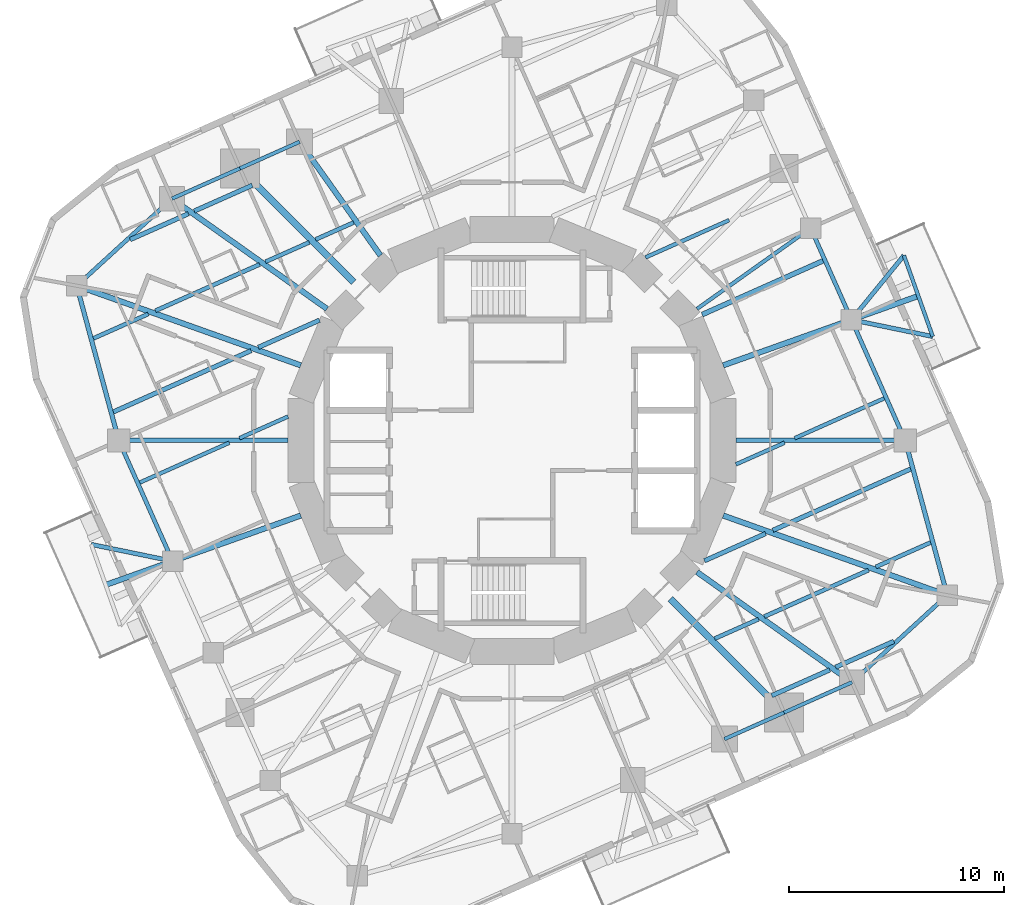
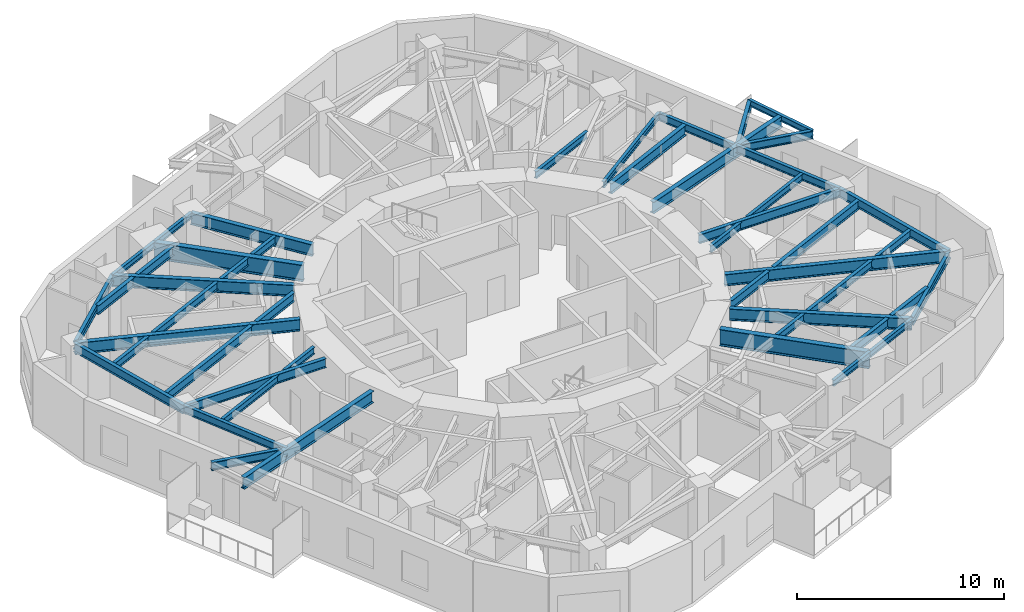
# One storey, part 2 of 12: 48 beams.
"""IFC4 building model written with IfcOpenShell, lengths in metres."""

from ifc_helpers import new_model, si_unit, direction, frame, origin, origin_2d, place, context, subcontext, project, spatial, i_section, extrude, material, material_profile, profile_set, type_object, element, save


model = new_model("IFC4")

# Units and contexts
model_context = context("Model", 3, precision=1e-05, world=origin(), true_north=direction((0.0, 1.0)))
body_context = subcontext(model_context, "Body", "Model", "MODEL_VIEW")
ifc_project = project(units=[si_unit("LENGTHUNIT", "METRE"), si_unit("AREAUNIT", "SQUARE_METRE"), si_unit("VOLUMEUNIT", "CUBIC_METRE"), si_unit("PLANEANGLEUNIT", "RADIAN"), si_unit("MASSUNIT", "GRAM", prefix="KILO")], contexts=[model_context])

# Site, building, storey
site_placement = place(None, origin())
site = spatial("IfcSite", under=ifc_project, at=site_placement, CompositionType="ELEMENT")
building_placement = place(site_placement, origin())
building = spatial("IfcBuilding", under=site, at=building_placement, Name="Nakasero Lantern House", CompositionType="ELEMENT")
storey_placement = place(building_placement, frame((0.0, 0.0, 209.39990234375)))
storey = spatial("IfcBuildingStorey", under=building, at=storey_placement, Name="L51", CompositionType="ELEMENT", Elevation=209.39990234375)

# Beams
ifc_material_1 = material(Name="Steel S355", Category="steel")
ifc_material_profile_1 = material_profile(ifc_material_1, i_section(OverallWidth=0.199462890625, OverallDepth=0.491943359375, WebThickness=0.01806640625, FlangeThickness=0.031982421875, FilletRadius=0.01025390625, at=origin_2d()), Name="UB 457x191x161")
ifc_profile_set_1 = profile_set([ifc_material_profile_1], Name="Steel S355")
beam_type_1 = type_object("IfcBeamType", Name="Balcony splay beam UB 457x191x161", PredefinedType="BEAM", material=ifc_profile_set_1)
beam_1_placement = place(storey_placement, frame((15.781982421875, 5.611328125, 3.404052734375), z_axis=(0.632165712937, 0.774833215206, 0.0), x_axis=(-0.774833215206, 0.632165712937, 0.0)))
element("IfcBeam", 1, at=beam_1_placement, inside=storey, type_object=beam_type_1, Name="Balcony splay beam L52 B5-C04A", PredefinedType="BEAM", context=body_context, shape_type="SweptSolid", body=[
    extrude(i_section(OverallWidth=0.199462890625, OverallDepth=0.491943359375, WebThickness=0.01806640625, FlangeThickness=0.031982421875, FilletRadius=0.01025390625, at=origin_2d()), origin(), (0.0, 0.0, 1.0), 3.85888671875),
])
for number, where, z_axis, x_axis, name in (
    (2, (15.781982421875, 5.611328125, 3.404052734375), (0.979420272605, -0.201831438605, 0.0), (0.201831438605, 0.979420272605, 0.0), "Balcony splay beam L52 B5-C04B"),
    (3, (-15.781982421875, -5.611328125, 3.404052734375), (-0.979420272605, 0.201831438605, 0.0), (-0.201831438605, -0.979420272605, 0.0), "Balcony splay beam L52 B5-C16B"),
):
    element("IfcBeam", number, at=place(storey_placement, frame(where, z_axis=z_axis, x_axis=x_axis)), inside=storey, type_object=beam_type_1, Name=name, PredefinedType="BEAM", context=body_context, shape_type="SweptSolid", body=[
        extrude(i_section(OverallWidth=0.199462890625, OverallDepth=0.491943359375, WebThickness=0.01806640625, FlangeThickness=0.031982421875, FilletRadius=0.01025390625, at=origin_2d()), origin(), (0.0, 0.0, 1.0), 3.858642578125),
    ])
ifc_material_2 = material(Name="Steel S355", Category="steel")
ifc_material_profile_2 = material_profile(ifc_material_2, i_section(OverallWidth=0.17138671875, OverallDepth=0.35498046875, WebThickness=0.00732421875, FlangeThickness=0.011474609375, FilletRadius=0.01025390625, at=origin_2d()), Name="UB 356x171x51")
ifc_profile_set_2 = profile_set([ifc_material_profile_2], Name="Steel S355")
beam_type_2 = type_object("IfcBeamType", Name="Balcony tie beam UB 356x171x51", PredefinedType="BEAM", material=ifc_profile_set_2)
beam_2_placement = place(storey_placement, frame((18.221435546875, 8.601318359375, 3.47265625), z_axis=(0.334971134582, -0.94222839004, 0.0), x_axis=(0.94222839004, 0.334971134582, 0.0)))
element("IfcBeam", 4, at=beam_2_placement, inside=storey, type_object=beam_type_2, Name="Balcony tie beam L52 B5-C04", PredefinedType="BEAM", context=body_context, shape_type="SweptSolid", body=[
    extrude(i_section(OverallWidth=0.17138671875, OverallDepth=0.35498046875, WebThickness=0.00732421875, FlangeThickness=0.011474609375, FilletRadius=0.01025390625, at=origin_2d()), origin(), (0.0, 0.0, 1.0), 4.0),
])
ifc_material_3 = material(Name="Steel S355", Category="steel")
ifc_material_profile_3 = material_profile(ifc_material_3, i_section(OverallWidth=0.177978515625, OverallDepth=0.406494140625, WebThickness=0.0078125, FlangeThickness=0.0126953125, FilletRadius=0.01025390625, at=origin_2d()), Name="UB 406x178x60")
ifc_profile_set_3 = profile_set([ifc_material_profile_3], Name="Steel S355")
beam_type_3 = type_object("IfcBeamType", Name="Infill beam UB 406x178x60", PredefinedType="JOIST", material=ifc_profile_set_3)
beam_3_placement = place(storey_placement, frame((10.407958984375, -1.113037109375, 3.44677734375), z_axis=(0.913531019811, 0.406769069427, 0.0), x_axis=(-0.406769069427, 0.913531019811, 0.0)))
element("IfcBeam", 5, at=beam_3_placement, inside=storey, type_object=beam_type_3, Name="Infill beam L52 06.3", PredefinedType="JOIST", context=body_context, shape_type="SweptSolid", body=[
    extrude(i_section(OverallWidth=0.177978515625, OverallDepth=0.406494140625, WebThickness=0.0078125, FlangeThickness=0.0126953125, FilletRadius=0.01025390625, at=origin_2d()), origin(), (0.0, 0.0, 1.0), 2.478271484375),
])
for number, where, z_axis, x_axis, name in (
    (6, (13.1435546875, 0.10498046875, 3.44677734375), (0.913537236337, 0.406755107929, 0.0), (-0.406755107929, 0.913537236337, 0.0), "Infill beam L52 06.4"),
    (7, (-17.30419921875, -1.95751953125, 3.44677734375), (0.913537236337, 0.406755107929, 0.0), (-0.406755107929, 0.913537236337, 0.0), "Infill beam L52 09.1"),
):
    element("IfcBeam", number, at=place(storey_placement, frame(where, z_axis=z_axis, x_axis=x_axis)), inside=storey, type_object=beam_type_3, Name=name, PredefinedType="JOIST", context=body_context, shape_type="SweptSolid", body=[
        extrude(i_section(OverallWidth=0.177978515625, OverallDepth=0.406494140625, WebThickness=0.0078125, FlangeThickness=0.0126953125, FilletRadius=0.01025390625, at=origin_2d()), origin(), (0.0, 0.0, 1.0), 4.554443359375),
    ])
beam_4_placement = place(storey_placement, frame((-12.671875, 0.10498046875, 3.44677734375), z_axis=(0.913531019811, 0.406769069427, 0.0), x_axis=(-0.406769069427, 0.913531019811, 0.0)))
element("IfcBeam", 8, at=beam_4_placement, inside=storey, type_object=beam_type_3, Name="Infill beam L52 09.2", PredefinedType="JOIST", context=body_context, shape_type="SweptSolid", body=[
    extrude(i_section(OverallWidth=0.177978515625, OverallDepth=0.406494140625, WebThickness=0.0078125, FlangeThickness=0.0126953125, FilletRadius=0.01025390625, at=origin_2d()), origin(), (0.0, 0.0, 1.0), 2.478271484375),
])
beam_5_placement = place(storey_placement, frame((6.2080078125, 8.5107421875, 3.44677734375), z_axis=(0.91354134882, 0.406745871517, 0.0), x_axis=(-0.406745871517, 0.91354134882, 0.0)))
element("IfcBeam", 9, at=beam_5_placement, inside=storey, type_object=beam_type_3, Name="Infill beam L52 09.3", PredefinedType="JOIST", context=body_context, shape_type="SweptSolid", body=[
    extrude(i_section(OverallWidth=0.177978515625, OverallDepth=0.406494140625, WebThickness=0.0078125, FlangeThickness=0.0126953125, FilletRadius=0.01025390625, at=origin_2d()), origin(), (0.0, 0.0, 1.0), 4.250732421875),
])
ifc_material_4 = material(Name="Steel S355", Category="steel")
ifc_material_profile_4 = material_profile(ifc_material_4, i_section(OverallWidth=0.18994140625, OverallDepth=0.453369140625, WebThickness=0.008544921875, FlangeThickness=0.0126953125, FilletRadius=0.01025390625, at=origin_2d()), Name="UB 457x191x67")
ifc_profile_set_4 = profile_set([ifc_material_profile_4], Name="Steel S355")
beam_type_4 = type_object("IfcBeamType", Name="Infill beam UB 457x191x67", PredefinedType="JOIST", material=ifc_profile_set_4)
beam_6_placement = place(storey_placement, frame((9.425048828125, -9.212890625, 3.42333984375), z_axis=(0.913549432882, 0.406727714424, 0.0), x_axis=(-0.406727714424, 0.913549432882, 0.0)))
element("IfcBeam", 10, at=beam_6_placement, inside=storey, type_object=beam_type_4, Name="Infill beam L52 04.6", PredefinedType="JOIST", context=body_context, shape_type="SweptSolid", body=[
    extrude(i_section(OverallWidth=0.18994140625, OverallDepth=0.453369140625, WebThickness=0.008544921875, FlangeThickness=0.0126953125, FilletRadius=0.01025390625, at=origin_2d()), origin(), (0.0, 0.0, 1.0), 2.229248046875),
])
beam_7_placement = place(storey_placement, frame((11.73095703125, -8.186279296875, 3.42333984375), z_axis=(0.913558956665, 0.406706322421, 0.0), x_axis=(-0.406706322421, 0.913558956665, 0.0)))
element("IfcBeam", 11, at=beam_7_placement, inside=storey, type_object=beam_type_4, Name="Infill beam L52 04.7", PredefinedType="JOIST", context=body_context, shape_type="SweptSolid", body=[
    extrude(i_section(OverallWidth=0.18994140625, OverallDepth=0.453369140625, WebThickness=0.008544921875, FlangeThickness=0.0126953125, FilletRadius=0.01025390625, at=origin_2d()), origin(), (0.0, 0.0, 1.0), 5.3046875),
])
for number, where, z_axis, x_axis, name in (
    (12, (16.913330078125, -5.87890625, 3.42333984375), (0.913540637242, 0.4067474697, 0.0), (-0.4067474697, 0.913540637242, 0.0), "Infill beam L52 04.8"),
    (13, (-19.46142578125, 4.744384765625, 3.42333984375), (0.913540637242, 0.4067474697, 0.0), (-0.4067474697, 0.913540637242, 0.0), "Infill beam L52 11.1"),
):
    element("IfcBeam", number, at=place(storey_placement, frame(where, z_axis=z_axis, x_axis=x_axis)), inside=storey, type_object=beam_type_4, Name=name, PredefinedType="JOIST", context=body_context, shape_type="SweptSolid", body=[
        extrude(i_section(OverallWidth=0.18994140625, OverallDepth=0.453369140625, WebThickness=0.008544921875, FlangeThickness=0.0126953125, FilletRadius=0.01025390625, at=origin_2d()), origin(), (0.0, 0.0, 1.0), 2.789306640625),
    ])
beam_8_placement = place(storey_placement, frame((-16.5771484375, 6.02880859375, 3.42333984375), z_axis=(0.913558956665, 0.406706322421, 0.0), x_axis=(-0.406706322421, 0.913558956665, 0.0)))
element("IfcBeam", 14, at=beam_8_placement, inside=storey, type_object=beam_type_4, Name="Infill beam L52 11.2", PredefinedType="JOIST", context=body_context, shape_type="SweptSolid", body=[
    extrude(i_section(OverallWidth=0.18994140625, OverallDepth=0.453369140625, WebThickness=0.008544921875, FlangeThickness=0.0126953125, FilletRadius=0.01025390625, at=origin_2d()), origin(), (0.0, 0.0, 1.0), 5.3046875),
])
beam_9_placement = place(storey_placement, frame((-11.461669921875, 8.30615234375, 3.42333984375), z_axis=(0.913549432882, 0.406727714424, 0.0), x_axis=(-0.406727714424, 0.913549432882, 0.0)))
element("IfcBeam", 15, at=beam_9_placement, inside=storey, type_object=beam_type_4, Name="Infill beam L52 11.3", PredefinedType="JOIST", context=body_context, shape_type="SweptSolid", body=[
    extrude(i_section(OverallWidth=0.18994140625, OverallDepth=0.453369140625, WebThickness=0.008544921875, FlangeThickness=0.0126953125, FilletRadius=0.01025390625, at=origin_2d()), origin(), (0.0, 0.0, 1.0), 2.229248046875),
])
beam_10_placement = place(storey_placement, frame((-9.131591796875, 9.34375, 3.42333984375), z_axis=(0.913587966127, 0.406641154026, 0.0), x_axis=(-0.406641154026, 0.913587966127, 0.0)))
element("IfcBeam", 16, at=beam_10_placement, inside=storey, type_object=beam_type_4, Name="Infill beam L52 11.4", PredefinedType="JOIST", context=body_context, shape_type="SweptSolid", body=[
    extrude(i_section(OverallWidth=0.18994140625, OverallDepth=0.453369140625, WebThickness=0.008544921875, FlangeThickness=0.0126953125, FilletRadius=0.01025390625, at=origin_2d()), origin(), (0.0, 0.0, 1.0), 1.9375),
])
ifc_material_5 = material(Name="Steel S355", Category="steel")
ifc_material_profile_5 = material_profile(ifc_material_5, i_section(OverallWidth=0.2099609375, OverallDepth=0.53662109375, WebThickness=0.0107421875, FlangeThickness=0.017333984375, FilletRadius=0.0126953125, at=origin_2d()), Name="UB 533x210x101")
ifc_profile_set_5 = profile_set([ifc_material_profile_5], Name="Steel S355")
beam_type_5 = type_object("IfcBeamType", Name="Infill beam UB 533x210x101", PredefinedType="JOIST", material=ifc_profile_set_5)
beam_11_placement = place(storey_placement, frame((12.076171875, -11.864013671875, 3.3818359375), z_axis=(0.913531880859, 0.40676713566, 0.0), x_axis=(-0.40676713566, 0.913531880859, 0.0)))
element("IfcBeam", 17, at=beam_11_placement, inside=storey, type_object=beam_type_5, Name="Infill beam L52 03.2", PredefinedType="JOIST", context=body_context, shape_type="SweptSolid", body=[
    extrude(i_section(OverallWidth=0.2099609375, OverallDepth=0.53662109375, WebThickness=0.0107421875, FlangeThickness=0.017333984375, FilletRadius=0.0126953125, at=origin_2d()), origin(), (0.0, 0.0, 1.0), 2.9541015625),
])
for number, where, z_axis, x_axis, name in (
    (18, (15.044189453125, -10.54248046875, 3.3818359375), (0.91353278913, 0.406765095827, 0.0), (-0.406765095827, 0.91353278913, 0.0), "Infill beam L52 03.3"),
    (19, (-17.751708984375, 9.3369140625, 3.3818359375), (0.91353278913, 0.406765095827, 0.0), (-0.406765095827, 0.91353278913, 0.0), "Infill beam L52 12.1"),
):
    element("IfcBeam", number, at=place(storey_placement, frame(where, z_axis=z_axis, x_axis=x_axis)), inside=storey, type_object=beam_type_5, Name=name, PredefinedType="JOIST", context=body_context, shape_type="SweptSolid", body=[
        extrude(i_section(OverallWidth=0.2099609375, OverallDepth=0.53662109375, WebThickness=0.0107421875, FlangeThickness=0.017333984375, FilletRadius=0.0126953125, at=origin_2d()), origin(), (0.0, 0.0, 1.0), 2.9638671875),
    ])
beam_12_placement = place(storey_placement, frame((-14.77490234375, 10.662353515625, 3.3818359375), z_axis=(0.913531880859, 0.40676713566, 0.0), x_axis=(-0.40676713566, 0.913531880859, 0.0)))
element("IfcBeam", 20, at=beam_12_placement, inside=storey, type_object=beam_type_5, Name="Infill beam L52 12.2", PredefinedType="JOIST", context=body_context, shape_type="SweptSolid", body=[
    extrude(i_section(OverallWidth=0.2099609375, OverallDepth=0.53662109375, WebThickness=0.0107421875, FlangeThickness=0.017333984375, FilletRadius=0.0126953125, at=origin_2d()), origin(), (0.0, 0.0, 1.0), 2.9541015625),
])
ifc_material_6 = material(Name="Steel S355", Category="steel")
ifc_material_profile_6 = material_profile(ifc_material_6, i_section(OverallWidth=0.208740234375, OverallDepth=0.5283203125, WebThickness=0.009521484375, FlangeThickness=0.01318359375, FilletRadius=0.0126953125, at=origin_2d()), Name="UB 533x210x82")
ifc_profile_set_6 = profile_set([ifc_material_profile_6], Name="Steel S355")
beam_type_6 = type_object("IfcBeamType", Name="Infill beam UB 533x210x82", PredefinedType="JOIST", material=ifc_profile_set_6)
beam_13_placement = place(storey_placement, frame((8.9482421875, -5.593994140625, 3.385986328125), z_axis=(0.913555928833, 0.406713123582, 0.0), x_axis=(-0.406713123582, 0.913555928833, 0.0)))
element("IfcBeam", 21, at=beam_13_placement, inside=storey, type_object=beam_type_6, Name="Infill beam L52 05.4", PredefinedType="JOIST", context=body_context, shape_type="SweptSolid", body=[
    extrude(i_section(OverallWidth=0.208740234375, OverallDepth=0.5283203125, WebThickness=0.009521484375, FlangeThickness=0.01318359375, FilletRadius=0.0126953125, at=origin_2d()), origin(), (0.0, 0.0, 1.0), 3.113525390625),
])
for number, where, z_axis, x_axis, name in (
    (22, (12.12890625, -4.177978515625, 3.385986328125), (0.913537025225, 0.406755582067, 0.0), (-0.406755582067, 0.913537025225, 0.0), "Infill beam L52 05.5"),
    (23, (-18.53271484375, 1.32666015625, 3.385986328125), (0.913537025225, 0.406755582067, 0.0), (-0.406755582067, 0.913537025225, 0.0), "Infill beam L52 10.1"),
):
    element("IfcBeam", number, at=place(storey_placement, frame(where, z_axis=z_axis, x_axis=x_axis)), inside=storey, type_object=beam_type_6, Name=name, PredefinedType="JOIST", context=body_context, shape_type="SweptSolid", body=[
        extrude(i_section(OverallWidth=0.208740234375, OverallDepth=0.5283203125, WebThickness=0.009521484375, FlangeThickness=0.01318359375, FilletRadius=0.0126953125, at=origin_2d()), origin(), (0.0, 0.0, 1.0), 7.010009765625),
    ])
beam_14_placement = place(storey_placement, frame((-11.792724609375, 4.32763671875, 3.385986328125), z_axis=(0.913555928833, 0.406713123582, 0.0), x_axis=(-0.406713123582, 0.913555928833, 0.0)))
element("IfcBeam", 24, at=beam_14_placement, inside=storey, type_object=beam_type_6, Name="Infill beam L52 10.2", PredefinedType="JOIST", context=body_context, shape_type="SweptSolid", body=[
    extrude(i_section(OverallWidth=0.208740234375, OverallDepth=0.5283203125, WebThickness=0.009521484375, FlangeThickness=0.01318359375, FilletRadius=0.0126953125, at=origin_2d()), origin(), (0.0, 0.0, 1.0), 3.113525390625),
])
ifc_material_7 = material(Name="Steel S355", Category="steel")
ifc_material_profile_7 = material_profile(ifc_material_7, i_section(OverallWidth=0.22900390625, OverallDepth=0.6123046875, WebThickness=0.011962890625, FlangeThickness=0.01953125, FilletRadius=0.0126953125, at=origin_2d()), Name="UB 610x229x125")
ifc_profile_set_7 = profile_set([ifc_material_profile_7], Name="Steel S355")
beam_type_7 = type_object("IfcBeamType", Name="Infill beam UB 610x229x125", PredefinedType="JOIST", material=ifc_profile_set_7)
beam_15_placement = place(storey_placement, frame((8.84130859375, 5.85205078125, 3.343994140625), z_axis=(0.913552627294, 0.406720539393, 0.0), x_axis=(-0.406720539393, 0.913552627294, 0.0)))
element("IfcBeam", 25, at=beam_15_placement, inside=storey, type_object=beam_type_7, Name="Infill beam L52 08.1", PredefinedType="JOIST", context=body_context, shape_type="SweptSolid", body=[
    extrude(i_section(OverallWidth=0.22900390625, OverallDepth=0.6123046875, WebThickness=0.011962890625, FlangeThickness=0.01953125, FilletRadius=0.0126953125, at=origin_2d()), origin(), (0.0, 0.0, 1.0), 6.14794921875),
])
ifc_material_8 = material(Name="Steel S355", Category="steel")
ifc_material_profile_8 = material_profile(ifc_material_8, i_section(OverallWidth=0.300048828125, OverallDepth=0.97998046875, WebThickness=0.0166015625, FlangeThickness=0.02587890625, FilletRadius=0.030029296875, at=origin_2d()), Name="UB 1016x305x249")
ifc_profile_set_8 = profile_set([ifc_material_profile_8], Name="Steel S355")
beam_type_8 = type_object("IfcBeamType", Name="Primary beam UB 1016x305x249, span 6 to 9 m", PredefinedType="BEAM", material=ifc_profile_set_8)
for number, where, z_axis, x_axis, name in (
    (26, (-12.64892578125, 12.64892578125, 3.16015625), (0.707106781187, -0.707106781187, 0.0), (0.707106781187, 0.707106781187, 0.0), "Primary beam L52 B5-C12"),
    (27, (12.64892578125, -12.64892578125, 3.16015625), (-0.707106781187, 0.707106781187, 0.0), (-0.707106781187, -0.707106781187, 0.0), "Primary beam L52 B5-C24"),
):
    element("IfcBeam", number, at=place(storey_placement, frame(where, z_axis=z_axis, x_axis=x_axis)), inside=storey, type_object=beam_type_8, Name=name, PredefinedType="BEAM", context=body_context, shape_type="SweptSolid", body=[
        extrude(i_section(OverallWidth=0.300048828125, OverallDepth=0.97998046875, WebThickness=0.0166015625, FlangeThickness=0.02587890625, FilletRadius=0.030029296875, at=origin_2d()), origin(), (0.0, 0.0, 1.0), 7.48046875),
    ])
ifc_material_9 = material(Name="Steel S355", Category="steel")
ifc_material_profile_9 = material_profile(ifc_material_9, i_section(OverallWidth=0.17138671875, OverallDepth=0.35498046875, WebThickness=0.00732421875, FlangeThickness=0.011474609375, FilletRadius=0.01025390625, at=origin_2d()), Name="UB 356x171x51")
ifc_profile_set_9 = profile_set([ifc_material_profile_9], Name="Steel S355")
beam_type_9 = type_object("IfcBeamType", Name="Primary beam UB 356x171x51, span 6 to 9 m", PredefinedType="BEAM", material=ifc_profile_set_9)
beam_16_placement = place(storey_placement, frame((13.884521484375, 9.87353515625, 3.47265625), z_axis=(-0.8149430702, -0.57954101868, 0.0), x_axis=(0.57954101868, -0.8149430702, 0.0)))
element("IfcBeam", 28, at=beam_16_placement, inside=storey, type_object=beam_type_9, Name="Primary beam L52 B5-C05", PredefinedType="BEAM", context=body_context, shape_type="SweptSolid", body=[
    extrude(i_section(OverallWidth=0.17138671875, OverallDepth=0.35498046875, WebThickness=0.00732421875, FlangeThickness=0.011474609375, FilletRadius=0.01025390625, at=origin_2d()), origin(), (0.0, 0.0, 1.0), 6.48193359375),
])
ifc_material_10 = material(Name="Steel S355", Category="steel")
ifc_material_profile_10 = material_profile(ifc_material_10, i_section(OverallWidth=0.2099609375, OverallDepth=0.53662109375, WebThickness=0.0107421875, FlangeThickness=0.017333984375, FilletRadius=0.0126953125, at=origin_2d()), Name="UB 533x210x101")
ifc_profile_set_10 = profile_set([ifc_material_profile_10], Name="Steel S355")
beam_type_10 = type_object("IfcBeamType", Name="Primary beam UB 533x210x101, span 6 to 9 m", PredefinedType="BEAM", material=ifc_profile_set_10)
for number, where, z_axis, x_axis, name in (
    (29, (18.280517578125, 0.0, 3.3818359375), (-1.0, 0.0, 0.0), (0.0, -1.0, 0.0), "Primary beam L52 B5-C03"),
    (30, (-18.280517578125, 0.0, 3.3818359375), (1.0, 0.0, 0.0), (0.0, 1.0, 0.0), "Primary beam L52 B5-C15"),
):
    element("IfcBeam", number, at=place(storey_placement, frame(where, z_axis=z_axis, x_axis=x_axis)), inside=storey, type_object=beam_type_10, Name=name, PredefinedType="BEAM", context=body_context, shape_type="SweptSolid", body=[
        extrude(i_section(OverallWidth=0.2099609375, OverallDepth=0.53662109375, WebThickness=0.0107421875, FlangeThickness=0.017333984375, FilletRadius=0.0126953125, at=origin_2d()), origin(), (0.0, 0.0, 1.0), 7.87255859375),
    ])
ifc_material_11 = material(Name="Steel S355", Category="steel")
ifc_material_profile_11 = material_profile(ifc_material_11, i_section(OverallWidth=0.253662109375, OverallDepth=0.68359375, WebThickness=0.012451171875, FlangeThickness=0.01904296875, FilletRadius=0.01513671875, at=origin_2d()), Name="UB 686x254x140")
ifc_profile_set_11 = profile_set([ifc_material_profile_11], Name="Steel S355")
beam_type_11 = type_object("IfcBeamType", Name="Primary beam UB 686x254x140, span 6 to 9 m", PredefinedType="BEAM", material=ifc_profile_set_11)
beam_17_placement = place(storey_placement, frame((15.808837890625, -11.241943359375, 3.308349609375), z_axis=(-0.814946052543, 0.579536824926, 0.0), x_axis=(-0.579536824926, -0.814946052543, 0.0)))
element("IfcBeam", 31, at=beam_17_placement, inside=storey, type_object=beam_type_11, Name="Primary beam L52 B5-C01", PredefinedType="BEAM", context=body_context, shape_type="SweptSolid", body=[
    extrude(i_section(OverallWidth=0.253662109375, OverallDepth=0.68359375, WebThickness=0.012451171875, FlangeThickness=0.01904296875, FilletRadius=0.01513671875, at=origin_2d()), origin(), (0.0, 0.0, 1.0), 8.84326171875),
])
beam_18_placement = place(storey_placement, frame((18.891357421875, 6.717041015625, 3.308349609375), z_axis=(-0.942207397814, -0.335030177005, 0.0), x_axis=(0.335030177005, -0.942207397814, 0.0)))
element("IfcBeam", 32, at=beam_18_placement, inside=storey, type_object=beam_type_11, Name="Primary beam L52 B5-C04", PredefinedType="BEAM", context=body_context, shape_type="SweptSolid", body=[
    extrude(i_section(OverallWidth=0.253662109375, OverallDepth=0.68359375, WebThickness=0.012451171875, FlangeThickness=0.01904296875, FilletRadius=0.01513671875, at=origin_2d()), origin(), (0.0, 0.0, 1.0), 9.62841796875),
])
beam_19_placement = place(storey_placement, frame((-15.808837890625, 11.241943359375, 3.308349609375), z_axis=(0.814946052543, -0.579536824926, 0.0), x_axis=(0.579536824926, 0.814946052543, 0.0)))
element("IfcBeam", 33, at=beam_19_placement, inside=storey, type_object=beam_type_11, Name="Primary beam L52 B5-C13", PredefinedType="BEAM", context=body_context, shape_type="SweptSolid", body=[
    extrude(i_section(OverallWidth=0.253662109375, OverallDepth=0.68359375, WebThickness=0.012451171875, FlangeThickness=0.01904296875, FilletRadius=0.01513671875, at=origin_2d()), origin(), (0.0, 0.0, 1.0), 8.84326171875),
])
beam_20_placement = place(storey_placement, frame((-18.891357421875, -6.717041015625, 3.308349609375), z_axis=(0.942207397814, 0.335030177005, 0.0), x_axis=(-0.335030177005, 0.942207397814, 0.0)))
element("IfcBeam", 34, at=beam_20_placement, inside=storey, type_object=beam_type_11, Name="Primary beam L52 B5-C16", PredefinedType="BEAM", context=body_context, shape_type="SweptSolid", body=[
    extrude(i_section(OverallWidth=0.253662109375, OverallDepth=0.68359375, WebThickness=0.012451171875, FlangeThickness=0.01904296875, FilletRadius=0.01513671875, at=origin_2d()), origin(), (0.0, 0.0, 1.0), 9.62841796875),
])
ifc_material_12 = material(Name="Steel S355", Category="steel")
ifc_material_profile_12 = material_profile(ifc_material_12, i_section(OverallWidth=0.253662109375, OverallDepth=0.68359375, WebThickness=0.012451171875, FlangeThickness=0.01904296875, FilletRadius=0.01513671875, at=origin_2d()), Name="UB 686x254x140")
ifc_profile_set_12 = profile_set([ifc_material_profile_12], Name="Steel S355")
beam_type_12 = type_object("IfcBeamType", Name="Primary beam UB 686x254x140, span 9 to 12 m", PredefinedType="BEAM", material=ifc_profile_set_12)
for number, where, z_axis, x_axis, name in (
    (35, (20.2353515625, -7.19482421875, 3.308349609375), (-0.942210662535, 0.335020995468, 0.0), (-0.335020995468, -0.942210662535, 0.0), "Primary beam L52 B5-C02"),
    (36, (-20.2353515625, 7.19482421875, 3.308349609375), (0.942210662535, -0.335020995468, 0.0), (0.335020995468, 0.942210662535, 0.0), "Primary beam L52 B5-C14"),
):
    element("IfcBeam", number, at=place(storey_placement, frame(where, z_axis=z_axis, x_axis=x_axis)), inside=storey, type_object=beam_type_12, Name=name, PredefinedType="BEAM", context=body_context, shape_type="SweptSolid", body=[
        extrude(i_section(OverallWidth=0.253662109375, OverallDepth=0.68359375, WebThickness=0.012451171875, FlangeThickness=0.01904296875, FilletRadius=0.01513671875, at=origin_2d()), origin(), (0.0, 0.0, 1.0), 11.054931640625),
    ])
ifc_material_13 = material(Name="Steel S355", Category="steel")
ifc_material_profile_13 = material_profile(ifc_material_13, i_section(OverallWidth=0.255859375, OverallDepth=0.69287109375, WebThickness=0.014404296875, FlangeThickness=0.023681640625, FilletRadius=0.01513671875, at=origin_2d()), Name="UB 686x254x170")
ifc_profile_set_13 = profile_set([ifc_material_profile_13], Name="Steel S355")
beam_type_13 = type_object("IfcBeamType", Name="Primary beam UB 686x254x170, span 6 to 9 m", PredefinedType="BEAM", material=ifc_profile_set_13)
beam_21_placement = place(storey_placement, frame((-9.87353515625, 13.884521484375, 3.3037109375), z_axis=(0.57954101868, -0.8149430702, 0.0), x_axis=(0.8149430702, 0.57954101868, 0.0)))
element("IfcBeam", 37, at=beam_21_placement, inside=storey, type_object=beam_type_13, Name="Primary beam L52 B5-C11", PredefinedType="BEAM", context=body_context, shape_type="SweptSolid", body=[
    extrude(i_section(OverallWidth=0.255859375, OverallDepth=0.69287109375, WebThickness=0.014404296875, FlangeThickness=0.023681640625, FilletRadius=0.01513671875, at=origin_2d()), origin(), (0.0, 0.0, 1.0), 6.48193359375),
])
ifc_material_14 = material(Name="Steel S355", Category="steel")
ifc_material_profile_14 = material_profile(ifc_material_14, i_section(OverallWidth=0.17138671875, OverallDepth=0.35498046875, WebThickness=0.00732421875, FlangeThickness=0.011474609375, FilletRadius=0.01025390625, at=origin_2d()), Name="UB 356x171x51")
ifc_profile_set_14 = profile_set([ifc_material_profile_14], Name="Steel S355")
beam_type_14 = type_object("IfcBeamType", Name="Ring beam UB 356x171x51", PredefinedType="BEAM", material=ifc_profile_set_14)
beam_22_placement = place(storey_placement, frame((-9.87353515625, 13.884521484375, 3.47265625), z_axis=(-0.913556197925, -0.40671251915, 0.0), x_axis=(0.40671251915, -0.913556197925, 0.0)))
element("IfcBeam", 38, at=beam_22_placement, inside=storey, type_object=beam_type_14, Name="Ring beam L52 B5-C11", PredefinedType="BEAM", context=body_context, shape_type="SweptSolid", body=[
    extrude(i_section(OverallWidth=0.17138671875, OverallDepth=0.35498046875, WebThickness=0.00732421875, FlangeThickness=0.011474609375, FilletRadius=0.01025390625, at=origin_2d()), origin(), (0.0, 0.0, 1.0), 3.0380859375),
])
beam_23_placement = place(storey_placement, frame((-12.64892578125, 12.64892578125, 3.47265625), z_axis=(-0.913534832457, -0.406760506795, 0.0), x_axis=(0.406760506795, -0.913534832457, 0.0)))
element("IfcBeam", 39, at=beam_23_placement, inside=storey, type_object=beam_type_14, Name="Ring beam L52 B5-C12", PredefinedType="BEAM", context=body_context, shape_type="SweptSolid", body=[
    extrude(i_section(OverallWidth=0.17138671875, OverallDepth=0.35498046875, WebThickness=0.00732421875, FlangeThickness=0.011474609375, FilletRadius=0.01025390625, at=origin_2d()), origin(), (0.0, 0.0, 1.0), 3.458984375),
])
beam_24_placement = place(storey_placement, frame((9.87353515625, -13.884521484375, 3.47265625), z_axis=(0.913556197925, 0.40671251915, 0.0), x_axis=(-0.40671251915, 0.913556197925, 0.0)))
element("IfcBeam", 40, at=beam_24_placement, inside=storey, type_object=beam_type_14, Name="Ring beam L52 B5-C23", PredefinedType="BEAM", context=body_context, shape_type="SweptSolid", body=[
    extrude(i_section(OverallWidth=0.17138671875, OverallDepth=0.35498046875, WebThickness=0.00732421875, FlangeThickness=0.011474609375, FilletRadius=0.01025390625, at=origin_2d()), origin(), (0.0, 0.0, 1.0), 3.0380859375),
])
beam_25_placement = place(storey_placement, frame((12.64892578125, -12.64892578125, 3.47265625), z_axis=(0.913534832457, 0.406760506795, 0.0), x_axis=(-0.406760506795, 0.913534832457, 0.0)))
element("IfcBeam", 41, at=beam_25_placement, inside=storey, type_object=beam_type_14, Name="Ring beam L52 B5-C24", PredefinedType="BEAM", context=body_context, shape_type="SweptSolid", body=[
    extrude(i_section(OverallWidth=0.17138671875, OverallDepth=0.35498046875, WebThickness=0.00732421875, FlangeThickness=0.011474609375, FilletRadius=0.01025390625, at=origin_2d()), origin(), (0.0, 0.0, 1.0), 3.458984375),
])
ifc_material_15 = material(Name="Steel S355", Category="steel")
ifc_material_profile_15 = material_profile(ifc_material_15, i_section(OverallWidth=0.18994140625, OverallDepth=0.453369140625, WebThickness=0.008544921875, FlangeThickness=0.0126953125, FilletRadius=0.01025390625, at=origin_2d()), Name="UB 457x191x67")
ifc_profile_set_15 = profile_set([ifc_material_profile_15], Name="Steel S355")
beam_type_15 = type_object("IfcBeamType", Name="Ring beam UB 457x191x67", PredefinedType="BEAM", material=ifc_profile_set_15)
beam_26_placement = place(storey_placement, frame((15.808837890625, -11.241943359375, 3.42333984375), z_axis=(0.73802707447, 0.674771099966, 0.0), x_axis=(-0.674771099966, 0.73802707447, 0.0)))
element("IfcBeam", 42, at=beam_26_placement, inside=storey, type_object=beam_type_15, Name="Ring beam L52 B5-C01", PredefinedType="BEAM", context=body_context, shape_type="SweptSolid", body=[
    extrude(i_section(OverallWidth=0.18994140625, OverallDepth=0.453369140625, WebThickness=0.008544921875, FlangeThickness=0.0126953125, FilletRadius=0.01025390625, at=origin_2d()), origin(), (0.0, 0.0, 1.0), 5.997802734375),
])
beam_27_placement = place(storey_placement, frame((15.781982421875, 5.611328125, 3.42333984375), z_axis=(-0.406701600856, 0.913561058639, 0.0), x_axis=(-0.913561058639, -0.406701600856, 0.0)))
element("IfcBeam", 43, at=beam_27_placement, inside=storey, type_object=beam_type_15, Name="Ring beam L52 B5-C04", PredefinedType="BEAM", context=body_context, shape_type="SweptSolid", body=[
    extrude(i_section(OverallWidth=0.18994140625, OverallDepth=0.453369140625, WebThickness=0.008544921875, FlangeThickness=0.0126953125, FilletRadius=0.01025390625, at=origin_2d()), origin(), (0.0, 0.0, 1.0), 4.66552734375),
])
beam_28_placement = place(storey_placement, frame((-15.808837890625, 11.241943359375, 3.42333984375), z_axis=(-0.73802707447, -0.674771099966, 0.0), x_axis=(0.674771099966, -0.73802707447, 0.0)))
element("IfcBeam", 44, at=beam_28_placement, inside=storey, type_object=beam_type_15, Name="Ring beam L52 B5-C13", PredefinedType="BEAM", context=body_context, shape_type="SweptSolid", body=[
    extrude(i_section(OverallWidth=0.18994140625, OverallDepth=0.453369140625, WebThickness=0.008544921875, FlangeThickness=0.0126953125, FilletRadius=0.01025390625, at=origin_2d()), origin(), (0.0, 0.0, 1.0), 5.997802734375),
])
ifc_material_16 = material(Name="Steel S355", Category="steel")
ifc_material_profile_16 = material_profile(ifc_material_16, i_section(OverallWidth=0.19140625, OverallDepth=0.4599609375, WebThickness=0.010009765625, FlangeThickness=0.01611328125, FilletRadius=0.01025390625, at=origin_2d()), Name="UB 457x191x82")
ifc_profile_set_16 = profile_set([ifc_material_profile_16], Name="Steel S355")
beam_type_16 = type_object("IfcBeamType", Name="Ring beam UB 457x191x82", PredefinedType="BEAM", material=ifc_profile_set_16)
for number, where, z_axis, x_axis, name in (
    (45, (18.280517578125, 0.0, 3.420166015625), (-0.406765299215, 0.913532698569, 0.0), (-0.913532698569, -0.406765299215, 0.0), "Ring beam L52 B5-C03"),
    (46, (-18.280517578125, 0.0, 3.420166015625), (0.406765299215, -0.913532698569, 0.0), (0.913532698569, 0.406765299215, 0.0), "Ring beam L52 B5-C15"),
):
    element("IfcBeam", number, at=place(storey_placement, frame(where, z_axis=z_axis, x_axis=x_axis)), inside=storey, type_object=beam_type_16, Name=name, PredefinedType="BEAM", context=body_context, shape_type="SweptSolid", body=[
        extrude(i_section(OverallWidth=0.19140625, OverallDepth=0.4599609375, WebThickness=0.010009765625, FlangeThickness=0.01611328125, FilletRadius=0.01025390625, at=origin_2d()), origin(), (0.0, 0.0, 1.0), 6.142333984375),
    ])
ifc_material_17 = material(Name="Steel S355", Category="steel")
ifc_material_profile_17 = material_profile(ifc_material_17, i_section(OverallWidth=0.208740234375, OverallDepth=0.5283203125, WebThickness=0.009521484375, FlangeThickness=0.01318359375, FilletRadius=0.0126953125, at=origin_2d()), Name="UB 533x210x82")
ifc_profile_set_17 = profile_set([ifc_material_profile_17], Name="Steel S355")
beam_type_17 = type_object("IfcBeamType", Name="Ring beam UB 533x210x82", PredefinedType="BEAM", material=ifc_profile_set_17)
for number, where, z_axis, x_axis, name in (
    (47, (20.2353515625, -7.19482421875, 3.385986328125), (-0.26219461312, 0.965015017941, 0.0), (-0.965015017941, -0.26219461312, 0.0), "Ring beam L52 B5-C02"),
    (48, (-20.2353515625, 7.19482421875, 3.385986328125), (0.26219461312, -0.965015017941, 0.0), (0.965015017941, 0.26219461312, 0.0), "Ring beam L52 B5-C14"),
):
    element("IfcBeam", number, at=place(storey_placement, frame(where, z_axis=z_axis, x_axis=x_axis)), inside=storey, type_object=beam_type_17, Name=name, PredefinedType="BEAM", context=body_context, shape_type="SweptSolid", body=[
        extrude(i_section(OverallWidth=0.208740234375, OverallDepth=0.5283203125, WebThickness=0.009521484375, FlangeThickness=0.01318359375, FilletRadius=0.0126953125, at=origin_2d()), origin(), (0.0, 0.0, 1.0), 7.45556640625),
    ])

save(model, "model.ifc")
